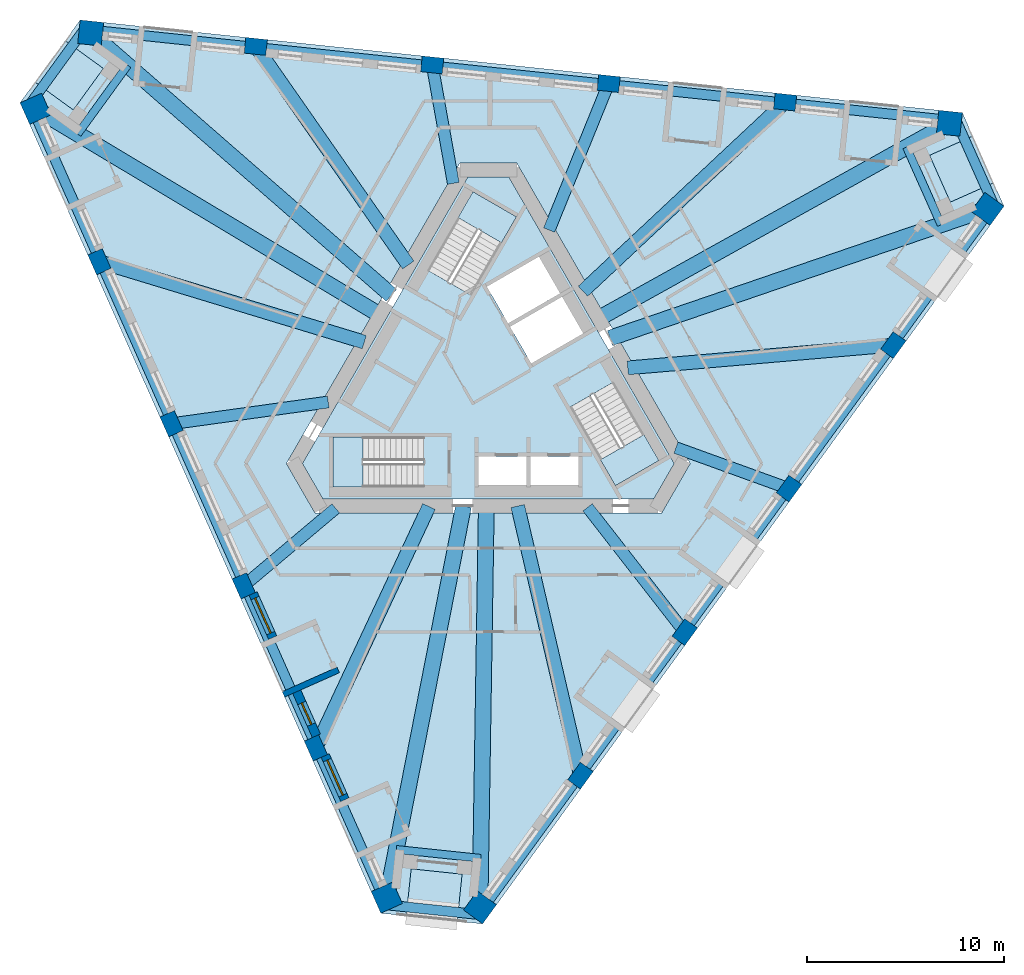
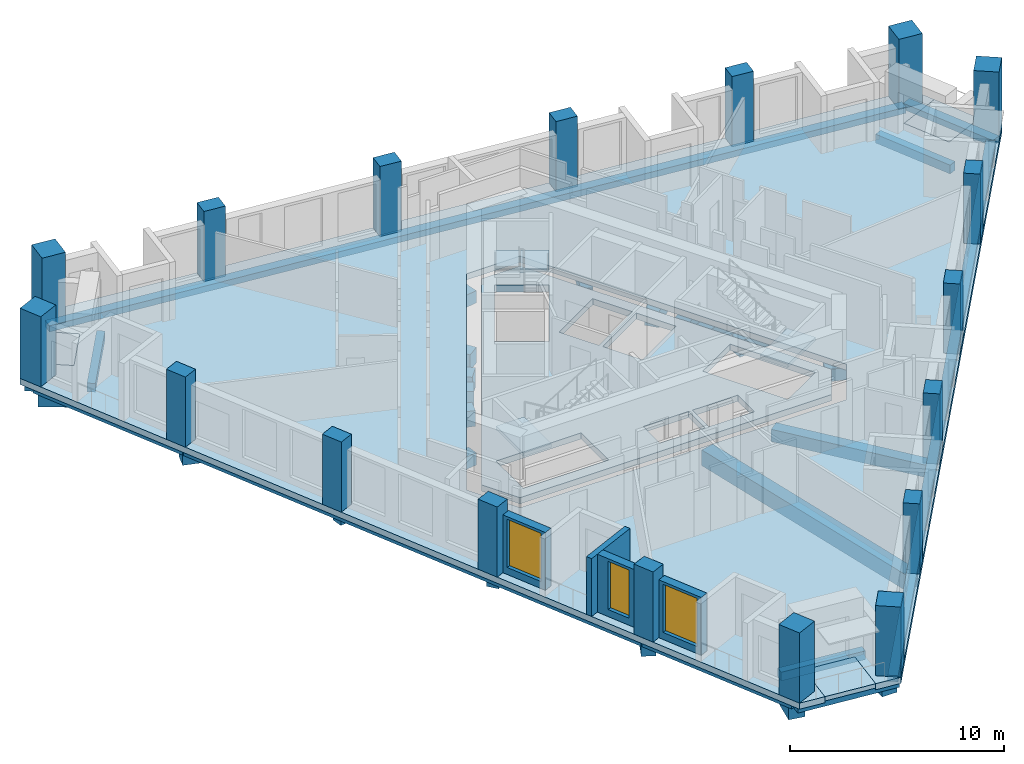
# One storey, part 1 of 11: 27 beams, 18 columns, 8 slabs, 4 walls, 3 windows, 3 openings, 3 elements without a shape of their own.
"""IFC4 building model written with IfcOpenShell, lengths in metres."""

from ifc_helpers import new_model, si_unit, direction, frame, frame_2d, origin, origin_2d, place, context, subcontext, project, spatial, polyline, rectangle, outline, extrude, material, layer, layer_set, material_profile, profile_set, type_object, element, fill, aggregate, save


model = new_model("IFC4")

# Units and contexts
model_context = context("Model", 3, precision=1e-05, world=origin(), true_north=direction((0.0, 1.0)))
body_context = subcontext(model_context, "Body", "Model", "MODEL_VIEW")
ifc_project = project(units=[si_unit("LENGTHUNIT", "METRE"), si_unit("AREAUNIT", "SQUARE_METRE"), si_unit("VOLUMEUNIT", "CUBIC_METRE"), si_unit("PLANEANGLEUNIT", "RADIAN"), si_unit("MASSUNIT", "GRAM", prefix="KILO")], contexts=[model_context])

# Site, building, storey
site_placement = place(None, origin())
site = spatial("IfcSite", under=ifc_project, at=site_placement, CompositionType="ELEMENT")
building_placement = place(site_placement, origin())
building = spatial("IfcBuilding", under=site, at=building_placement, Name="Tramontana Tower", CompositionType="ELEMENT")
storey_placement = place(building_placement, frame((0.0, 0.0, 241.199951171875)))
storey = spatial("IfcBuildingStorey", under=building, at=storey_placement, Name="L56", CompositionType="ELEMENT", Elevation=241.199951171875)

# Columns
ifc_material_1 = material(Name="Concrete 55 MPa", Category="concrete")
ifc_material_profile_1 = material_profile(ifc_material_1, rectangle(XDim=1.199951171875, YDim=1.199951171875, at=origin_2d()), Name="Mega column 1200X1200 55 MPa")
ifc_profile_set_1 = profile_set([ifc_material_profile_1], Name="Concrete 55 MPa")
column_type_1 = type_object("IfcColumnType", Name="Mega column 1200X1200 55 MPa", PredefinedType="COLUMN", material=ifc_profile_set_1)
for number, where, z_axis, x_axis, name in (
    (1, (-22.98291015625, 13.758056640625, 0.0), (0.0, 0.0, 1.0), (0.406736643076, -0.913545457643, 0.0), "Mega column C6K1 L56"),
    (2, (-5.154296875, -26.28564453125, 0.0), (0.0, 0.0, 1.0), (0.406736643076, -0.913545457643, 0.0), "Mega column C6K2 L56"),
    (3, (-0.42333984375, -26.782958984375, 0.0), (0.0, 0.0, 1.0), (0.587785252292, 0.809016994375, 0.0), "Mega column C6K3 L56"),
    (4, (25.341064453125, 8.678955078125, 0.0), (0.0, 0.0, 1.0), (0.587785252292, 0.809016994375, 0.0), "Mega column C6K4 L56"),
    (5, (23.40625, 13.024658203125, 0.0), (0.0, 0.0, 1.0), (-0.994521895368, 0.104528463268, 0.0), "Mega column C6K5 L56"),
    (6, (-20.186767578125, 17.6064453125, 0.0), (0.0, 0.0, 1.0), (-0.994521895368, 0.104528463268, 0.0), "Mega column C6K6 L56"),
):
    element("IfcColumn", number, at=place(storey_placement, frame(where, z_axis=z_axis, x_axis=x_axis)), inside=storey, type_object=column_type_1, Name=name, PredefinedType="COLUMN", context=body_context, shape_type="SweptSolid", body=[
        extrude(rectangle(XDim=1.199951171875, YDim=1.199951171875, at=origin_2d()), origin(), (0.0, 0.0, 1.0), 4.0),
    ])
ifc_material_2 = material(Name="Concrete 55 MPa", Category="concrete")
ifc_material_profile_2 = material_profile(ifc_material_2, rectangle(XDim=1.10009765625, YDim=0.800048828125, at=origin_2d()), Name="Pier column 1100X800 55 MPa")
ifc_profile_set_2 = profile_set([ifc_material_profile_2], Name="Concrete 55 MPa")
column_type_2 = type_object("IfcColumnType", Name="Pier column 1100X800 55 MPa", PredefinedType="COLUMN", material=ifc_profile_set_2)
for number, where, z_axis, x_axis, name in (
    (7, (-19.746337890625, 5.996826171875, 0.0), (0.0, 0.0, 1.0), (0.406736643076, -0.913545457643, 0.0), "Pier column C6F01 L56"),
    (8, (-16.0830078125, -2.231201171875, 0.0), (0.0, 0.0, 1.0), (0.406736643076, -0.913545457643, 0.0), "Pier column C6F02 L56"),
    (9, (-12.419677734375, -10.458984375, 0.0), (0.0, 0.0, 1.0), (0.406736643076, -0.913545457643, 0.0), "Pier column C6F03 L56"),
    (10, (-8.75634765625, -18.68701171875, 0.0), (0.0, 0.0, 1.0), (0.406736643076, -0.913545457643, 0.0), "Pier column C6F04 L56"),
    (11, (4.6796875, -20.099365234375, 0.0), (0.0, 0.0, 1.0), (0.587785252292, 0.809016994375, 0.0), "Pier column C6F05 L56"),
    (12, (9.9736328125, -12.812744140625, 0.0), (0.0, 0.0, 1.0), (0.587785252292, 0.809016994375, 0.0), "Pier column C6F06 L56"),
    (13, (15.267578125, -5.526123046875, 0.0), (0.0, 0.0, 1.0), (0.587785252292, 0.809016994375, 0.0), "Pier column C6F07 L56"),
    (14, (20.5615234375, 1.76025390625, 0.0), (0.0, 0.0, 1.0), (0.587785252292, 0.809016994375, 0.0), "Pier column C6F08 L56"),
    (15, (15.066650390625, 14.102294921875, 0.0), (0.0, 0.0, 1.0), (-0.994521895368, 0.104528463268, 0.0), "Pier column C6F09 L56"),
    (16, (6.109375, 15.043701171875, 0.0), (0.0, 0.0, 1.0), (-0.994521895368, 0.104528463268, 0.0), "Pier column C6F10 L56"),
    (17, (-2.847900390625, 15.9853515625, 0.0), (0.0, 0.0, 1.0), (-0.994521895368, 0.104528463268, 0.0), "Pier column C6F11 L56"),
    (18, (-11.805419921875, 16.9267578125, 0.0), (0.0, 0.0, 1.0), (-0.994521895368, 0.104528463268, 0.0), "Pier column C6F12 L56"),
):
    element("IfcColumn", number, at=place(storey_placement, frame(where, z_axis=z_axis, x_axis=x_axis)), inside=storey, type_object=column_type_2, Name=name, PredefinedType="COLUMN", context=body_context, shape_type="SweptSolid", body=[
        extrude(rectangle(XDim=1.10009765625, YDim=0.800048828125, at=origin_2d()), origin(), (0.0, 0.0, 1.0), 4.0),
    ])

# Beams
ifc_material_3 = material(Name="Concrete 40 MPa", Category="concrete")
ifc_material_profile_3 = material_profile(ifc_material_3, rectangle(XDim=0.5, YDim=0.35009765625, at=origin_2d()), Name="RC EDGE BEAM 500X350 40 MPa")
ifc_profile_set_3 = profile_set([ifc_material_profile_3], Name="Concrete 40 MPa")
beam_type_1 = type_object("IfcBeamType", Name="RC EDGE BEAM 500X350 40 MPa", PredefinedType="SPANDREL", material=ifc_profile_set_3)
for number, where, z_axis, x_axis, name in (
    (19, (-23.119873046875, 13.697021484375, -0.52490234375), (0.406736811644, -0.913545382591, 0.0), (0.913545382591, 0.406736811644, 0.0), "Spandrel beam S0 L56"),
    (20, (-0.302001953125, -26.87109375, -0.52490234375), (0.587782498957, 0.809018994783, 0.0), (-0.809018994783, 0.587782498957, 0.0), "Spandrel beam S1 L56"),
):
    element("IfcBeam", number, at=place(storey_placement, frame(where, z_axis=z_axis, x_axis=x_axis)), inside=storey, type_object=beam_type_1, Name=name, PredefinedType="SPANDREL", context=body_context, shape_type="SweptSolid", body=[
        extrude(rectangle(XDim=0.5, YDim=0.35009765625, at=origin_2d()), origin(), (0.0, 0.0, 1.0), 43.833251953125),
    ])
beam_1_placement = place(storey_placement, frame((23.422119140625, 13.173828125, -0.52490234375), z_axis=(-0.994522012351, 0.104527350249, 0.0), x_axis=(-0.104527350249, -0.994522012351, 0.0)))
element("IfcBeam", 21, at=beam_1_placement, inside=storey, type_object=beam_type_1, Name="Spandrel beam S2 L56", PredefinedType="SPANDREL", context=body_context, shape_type="SweptSolid", body=[
    extrude(rectangle(XDim=0.5, YDim=0.35009765625, at=origin_2d()), origin(), (0.0, 0.0, 1.0), 43.83349609375),
])
for number, where, z_axis, x_axis, name in (
    (22, (-20.356689453125, 18.00146484375, -0.52490234375), (-0.587774926142, -0.809024496662, 0.0), (0.809024496662, -0.587774926142, 0.0), "Spandrel beam K0 L56"),
    (23, (-5.411376953125, -26.630126953125, -0.52490234375), (0.994520631958, -0.104540483116, 0.0), (0.104540483116, 0.994520631958, 0.0), "Spandrel beam K1 L56"),
):
    element("IfcBeam", number, at=place(storey_placement, frame(where, z_axis=z_axis, x_axis=x_axis)), inside=storey, type_object=beam_type_1, Name=name, PredefinedType="SPANDREL", context=body_context, shape_type="SweptSolid", body=[
        extrude(rectangle(XDim=0.5, YDim=0.35009765625, at=origin_2d()), origin(), (0.0, 0.0, 1.0), 5.1962890625),
    ])
beam_2_placement = place(storey_placement, frame((25.76806640625, 8.62890625, -0.52490234375), z_axis=(-0.406713847213, 0.913555606674, 0.0), x_axis=(-0.913555606674, -0.406713847213, 0.0)))
element("IfcBeam", 24, at=beam_2_placement, inside=storey, type_object=beam_type_1, Name="Spandrel beam K2 L56", PredefinedType="SPANDREL", context=body_context, shape_type="SweptSolid", body=[
    extrude(rectangle(XDim=0.5, YDim=0.35009765625, at=origin_2d()), origin(), (0.0, 0.0, 1.0), 5.196044921875),
])
ifc_material_4 = material(Name="Concrete 40 MPa", Category="concrete")
ifc_material_profile_4 = material_profile(ifc_material_4, rectangle(XDim=0.60009765625, YDim=0.699951171875, at=origin_2d()), Name="RC GIRDER 600X700 40 MPa")
ifc_profile_set_4 = profile_set([ifc_material_profile_4], Name="Concrete 40 MPa")
beam_type_2 = type_object("IfcBeamType", Name="RC GIRDER 600X700 40 MPa", PredefinedType="BEAM", material=ifc_profile_set_4)
beam_3_placement = place(storey_placement, frame((-16.0830078125, -2.231201171875, -0.699951171875), z_axis=(0.990511014631, 0.13743336529, 0.0), x_axis=(-0.13743336529, 0.990511014631, 0.0)))
element("IfcBeam", 25, at=beam_3_placement, inside=storey, type_object=beam_type_2, Name="Radial girder C6F02 L56", PredefinedType="BEAM", context=body_context, shape_type="SweptSolid", body=[
    extrude(rectangle(XDim=0.60009765625, YDim=0.699951171875, at=origin_2d()), origin(), (0.0, 0.0, 1.0), 8.032958984375),
])
beam_4_placement = place(storey_placement, frame((-12.419677734375, -10.458984375, -0.699951171875), z_axis=(0.7648987601, 0.644150515638, 0.0), x_axis=(-0.644150515638, 0.7648987601, 0.0)))
element("IfcBeam", 26, at=beam_4_placement, inside=storey, type_object=beam_type_2, Name="Radial girder C6F03 L56", PredefinedType="BEAM", context=body_context, shape_type="SweptSolid", body=[
    extrude(rectangle(XDim=0.60009765625, YDim=0.699951171875, at=origin_2d()), origin(), (0.0, 0.0, 1.0), 6.108154296875),
])
beam_5_placement = place(storey_placement, frame((9.9736328125, -12.812744140625, -0.699951171875), z_axis=(-0.614258279955, 0.789105040857, 0.0), x_axis=(-0.789105040857, -0.614258279955, 0.0)))
element("IfcBeam", 27, at=beam_5_placement, inside=storey, type_object=beam_type_2, Name="Radial girder C6F06 L56", PredefinedType="BEAM", context=body_context, shape_type="SweptSolid", body=[
    extrude(rectangle(XDim=0.60009765625, YDim=0.699951171875, at=origin_2d()), origin(), (0.0, 0.0, 1.0), 8.032958984375),
])
beam_6_placement = place(storey_placement, frame((15.267578125, -5.526123046875, -0.699951171875), z_axis=(-0.940300037895, 0.34034664496, 0.0), x_axis=(-0.34034664496, -0.940300037895, 0.0)))
element("IfcBeam", 28, at=beam_6_placement, inside=storey, type_object=beam_type_2, Name="Radial girder C6F07 L56", PredefinedType="BEAM", context=body_context, shape_type="SweptSolid", body=[
    extrude(rectangle(XDim=0.60009765625, YDim=0.699951171875, at=origin_2d()), origin(), (0.0, 0.0, 1.0), 6.108154296875),
])
beam_7_placement = place(storey_placement, frame((6.109375, 15.043701171875, -0.699951171875), z_axis=(-0.376258836782, -0.92651459122, 0.0), x_axis=(0.92651459122, -0.376258836782, 0.0)))
element("IfcBeam", 29, at=beam_7_placement, inside=storey, type_object=beam_type_2, Name="Radial girder C6F10 L56", PredefinedType="BEAM", context=body_context, shape_type="SweptSolid", body=[
    extrude(rectangle(XDim=0.60009765625, YDim=0.699951171875, at=origin_2d()), origin(), (0.0, 0.0, 1.0), 8.032958984375),
])
beam_8_placement = place(storey_placement, frame((-2.847900390625, 15.9853515625, -0.699951171875), z_axis=(0.175388058889, -0.984499379786, 0.0), x_axis=(0.984499379786, 0.175388058889, 0.0)))
element("IfcBeam", 30, at=beam_8_placement, inside=storey, type_object=beam_type_2, Name="Radial girder C6F11 L56", PredefinedType="BEAM", context=body_context, shape_type="SweptSolid", body=[
    extrude(rectangle(XDim=0.60009765625, YDim=0.699951171875, at=origin_2d()), origin(), (0.0, 0.0, 1.0), 6.108154296875),
])
ifc_material_5 = material(Name="Concrete 40 MPa", Category="concrete")
ifc_material_profile_5 = material_profile(ifc_material_5, rectangle(XDim=0.699951171875, YDim=0.89990234375, at=origin_2d()), Name="RC GIRDER 700X900 40 MPa")
ifc_profile_set_5 = profile_set([ifc_material_profile_5], Name="Concrete 40 MPa")
beam_type_3 = type_object("IfcBeamType", Name="RC GIRDER 700X900 40 MPa", PredefinedType="BEAM", material=ifc_profile_set_5)
beam_9_placement = place(storey_placement, frame((-19.746337890625, 5.996826171875, -0.800048828125), z_axis=(0.956850397844, -0.290580997566, 0.0), x_axis=(0.290580997566, 0.956850397844, 0.0)))
element("IfcBeam", 31, at=beam_9_placement, inside=storey, type_object=beam_type_3, Name="Radial girder C6F01 L56", PredefinedType="BEAM", context=body_context, shape_type="SweptSolid", body=[
    extrude(rectangle(XDim=0.699951171875, YDim=0.89990234375, at=origin_2d()), origin(), (0.0, 0.0, 1.0), 14.05615234375),
])
beam_10_placement = place(storey_placement, frame((-8.75634765625, -18.68701171875, -0.800048828125), z_axis=(0.424308147915, 0.90551786046, 0.0), x_axis=(-0.90551786046, 0.424308147915, 0.0)))
element("IfcBeam", 32, at=beam_10_placement, inside=storey, type_object=beam_type_3, Name="Radial girder C6F04 L56", PredefinedType="BEAM", context=body_context, shape_type="SweptSolid", body=[
    extrude(rectangle(XDim=0.699951171875, YDim=0.89990234375, at=origin_2d()), origin(), (0.0, 0.0, 1.0), 13.532470703125),
])
beam_11_placement = place(storey_placement, frame((4.6796875, -20.099365234375, -0.800048828125), z_axis=(-0.22676563163, 0.973949356133, 0.0), x_axis=(-0.973949356133, -0.22676563163, 0.0)))
element("IfcBeam", 33, at=beam_11_placement, inside=storey, type_object=beam_type_3, Name="Radial girder C6F05 L56", PredefinedType="BEAM", context=body_context, shape_type="SweptSolid", body=[
    extrude(rectangle(XDim=0.699951171875, YDim=0.89990234375, at=origin_2d()), origin(), (0.0, 0.0, 1.0), 14.056396484375),
])
beam_12_placement = place(storey_placement, frame((20.5615234375, 1.760498046875, -0.800048828125), z_axis=(-0.996353926175, -0.085316198904, 0.0), x_axis=(0.085316198904, -0.996353926175, 0.0)))
element("IfcBeam", 34, at=beam_12_placement, inside=storey, type_object=beam_type_3, Name="Radial girder C6F08 L56", PredefinedType="BEAM", context=body_context, shape_type="SweptSolid", body=[
    extrude(rectangle(XDim=0.699951171875, YDim=0.89990234375, at=origin_2d()), origin(), (0.0, 0.0, 1.0), 13.532470703125),
])
beam_13_placement = place(storey_placement, frame((15.066650390625, 14.102294921875, -0.800048828125), z_axis=(-0.730089981105, -0.683351022162, 0.0), x_axis=(0.683351022162, -0.730089981105, 0.0)))
element("IfcBeam", 35, at=beam_13_placement, inside=storey, type_object=beam_type_3, Name="Radial girder C6F09 L56", PredefinedType="BEAM", context=body_context, shape_type="SweptSolid", body=[
    extrude(rectangle(XDim=0.699951171875, YDim=0.89990234375, at=origin_2d()), origin(), (0.0, 0.0, 1.0), 14.056396484375),
])
beam_14_placement = place(storey_placement, frame((-11.805419921875, 16.9267578125, -0.800048828125), z_axis=(0.5720593984, -0.820212194924, 0.0), x_axis=(0.820212194924, 0.5720593984, 0.0)))
element("IfcBeam", 36, at=beam_14_placement, inside=storey, type_object=beam_type_3, Name="Radial girder C6F12 L56", PredefinedType="BEAM", context=body_context, shape_type="SweptSolid", body=[
    extrude(rectangle(XDim=0.699951171875, YDim=0.89990234375, at=origin_2d()), origin(), (0.0, 0.0, 1.0), 13.53271484375),
])
ifc_material_6 = material(Name="Concrete 40 MPa", Category="concrete")
ifc_material_profile_6 = material_profile(ifc_material_6, rectangle(XDim=0.800048828125, YDim=1.10009765625, at=origin_2d()), Name="RC GIRDER 800X1100 40 MPa")
ifc_profile_set_6 = profile_set([ifc_material_profile_6], Name="Concrete 40 MPa")
beam_type_4 = type_object("IfcBeamType", Name="RC GIRDER 800X1100 40 MPa", PredefinedType="BEAM", material=ifc_profile_set_6)
beam_15_placement = place(storey_placement, frame((-22.98291015625, 13.758056640625, -0.89990234375), z_axis=(0.858014507948, -0.513625451229, 0.0), x_axis=(0.513625451229, 0.858014507948, 0.0)))
element("IfcBeam", 37, at=beam_15_placement, inside=storey, type_object=beam_type_4, Name="Radial girder C6K1 L56", PredefinedType="BEAM", context=body_context, shape_type="SweptSolid", body=[
    extrude(rectangle(XDim=0.800048828125, YDim=1.10009765625, at=origin_2d()), origin(), (0.0, 0.0, 1.0), 20.385498046875),
])
beam_16_placement = place(storey_placement, frame((-5.154296875, -26.28564453125, -0.89990234375), z_axis=(0.192429707164, 0.981310760056, 0.0), x_axis=(-0.981310760056, 0.192429707164, 0.0)))
element("IfcBeam", 38, at=beam_16_placement, inside=storey, type_object=beam_type_4, Name="Radial girder C6K2 L56", PredefinedType="BEAM", context=body_context, shape_type="SweptSolid", body=[
    extrude(rectangle(XDim=0.800048828125, YDim=1.10009765625, at=origin_2d()), origin(), (0.0, 0.0, 1.0), 20.2578125),
])
beam_17_placement = place(storey_placement, frame((-0.42333984375, -26.78271484375, -0.89990234375), z_axis=(0.015796706362, 0.99987522425, 0.0), x_axis=(-0.99987522425, 0.015796706362, 0.0)))
element("IfcBeam", 39, at=beam_17_placement, inside=storey, type_object=beam_type_4, Name="Radial girder C6K3 L56", PredefinedType="BEAM", context=body_context, shape_type="SweptSolid", body=[
    extrude(rectangle(XDim=0.800048828125, YDim=1.10009765625, at=origin_2d()), origin(), (0.0, 0.0, 1.0), 20.38525390625),
])
beam_18_placement = place(storey_placement, frame((25.34130859375, 8.67919921875, -0.89990234375), z_axis=(-0.946050478935, -0.324019276136, 0.0), x_axis=(0.324019276136, -0.946050478935, 0.0)))
element("IfcBeam", 40, at=beam_18_placement, inside=storey, type_object=beam_type_4, Name="Radial girder C6K4 L56", PredefinedType="BEAM", context=body_context, shape_type="SweptSolid", body=[
    extrude(rectangle(XDim=0.800048828125, YDim=1.10009765625, at=origin_2d()), origin(), (0.0, 0.0, 1.0), 20.258056640625),
])
beam_19_placement = place(storey_placement, frame((23.40625, 13.024658203125, -0.89990234375), z_axis=(-0.873818675449, -0.486251912528, 0.0), x_axis=(0.486251912528, -0.873818675449, 0.0)))
element("IfcBeam", 41, at=beam_19_placement, inside=storey, type_object=beam_type_4, Name="Radial girder C6K5 L56", PredefinedType="BEAM", context=body_context, shape_type="SweptSolid", body=[
    extrude(rectangle(XDim=0.800048828125, YDim=1.10009765625, at=origin_2d()), origin(), (0.0, 0.0, 1.0), 20.38525390625),
])
beam_20_placement = place(storey_placement, frame((-20.18701171875, 17.606689453125, -0.89990234375), z_axis=(0.753629135933, -0.657299874846, 0.0), x_axis=(0.657299874846, 0.753629135933, 0.0)))
element("IfcBeam", 42, at=beam_20_placement, inside=storey, type_object=beam_type_4, Name="Radial girder C6K6 L56", PredefinedType="BEAM", context=body_context, shape_type="SweptSolid", body=[
    extrude(rectangle(XDim=0.800048828125, YDim=1.10009765625, at=origin_2d()), origin(), (0.0, 0.0, 1.0), 20.2578125),
])
ifc_material_7 = material(Name="Concrete 40 MPa", Category="concrete")
ifc_material_profile_7 = material_profile(ifc_material_7, rectangle(XDim=0.39990234375, YDim=0.5, at=origin_2d()), Name="RC TRIM BEAM 400X500 40 MPa")
ifc_profile_set_7 = profile_set([ifc_material_profile_7], Name="Concrete 40 MPa")
beam_type_5 = type_object("IfcBeamType", Name="RC TRIM BEAM 400X500 40 MPa", PredefinedType="JOIST", material=ifc_profile_set_7)
for number, where, z_axis, x_axis, name in (
    (43, (-18.310302734375, 15.9697265625, -0.599853515625), (-0.587744325324, -0.809046727976, 0.0), (0.809046727976, -0.587744325324, 0.0), "Trimmer beam K0 L56"),
    (44, (-4.675048828125, -23.841796875, -0.599853515625), (0.994517847883, -0.104566965344, 0.0), (0.104566965344, 0.994517847883, 0.0), "Trimmer beam K1 L56"),
    (45, (22.9853515625, 7.872314453125, -0.599853515625), (-0.406773611719, 0.913528997246, 0.0), (-0.913528997246, -0.406773611719, 0.0), "Trimmer beam K2 L56"),
):
    element("IfcBeam", number, at=place(storey_placement, frame(where, z_axis=z_axis, x_axis=x_axis)), inside=storey, type_object=beam_type_5, Name=name, PredefinedType="JOIST", context=body_context, shape_type="SweptSolid", body=[
        extrude(rectangle(XDim=0.39990234375, YDim=0.5, at=origin_2d()), origin(), (0.0, 0.0, 1.0), 4.314697265625),
    ])

# Slabs
ifc_material_8 = material(Name="Precast concrete 50 MPa", Category="concrete")
ifc_layer_1 = layer(ifc_material_8, 0.25)
ifc_layer_set_1 = layer_set([ifc_layer_1], Name="LT1 Loggia floor tray 250")
slab_type_1 = type_object("IfcSlabType", Name="LT1 Loggia floor tray 250", PredefinedType="FLOOR", material=ifc_layer_set_1)
slab_1_placement = place(storey_placement, frame((0.0, 0.0, -0.25)))
element("IfcSlab", 46, at=slab_1_placement, inside=storey, type_object=slab_type_1, Name="Corner loggia floor L56 K60", PredefinedType="FLOOR", context=body_context, shape_type="SweptSolid", body=[
    extrude(outline(polyline([(-21.48388671875, 17.2158203125), (-19.542236328125, 15.80517578125), (-21.070556640625, 13.70166015625), (-23.01220703125, 15.1123046875), (-21.48388671875, 17.2158203125)])), origin(), (0.0, 0.0, 1.0), 0.25),
])
slab_2_placement = place(storey_placement, frame((0.0, 0.0, -0.25)))
element("IfcSlab", 47, at=slab_2_placement, inside=storey, type_object=slab_type_1, Name="Corner loggia floor L56 K61", PredefinedType="FLOOR", context=body_context, shape_type="SweptSolid", body=[
    extrude(outline(polyline([(-4.16748046875, -27.21337890625), (-3.91650390625, -24.82666015625), (-1.330810546875, -25.098388671875), (-1.58154296875, -27.4853515625), (-4.16748046875, -27.21337890625)])), origin(), (0.0, 0.0, 1.0), 0.25),
])
slab_3_placement = place(storey_placement, frame((0.0, 0.0, -0.25)))
element("IfcSlab", 48, at=slab_3_placement, inside=storey, type_object=slab_type_1, Name="Corner loggia floor L56 K62", PredefinedType="FLOOR", context=body_context, shape_type="SweptSolid", body=[
    extrude(outline(polyline([(25.6513671875, 9.99755859375), (23.458740234375, 9.021484375), (22.401123046875, 11.396728515625), (24.59375, 12.372802734375), (25.6513671875, 9.99755859375)])), origin(), (0.0, 0.0, 1.0), 0.25),
])
ifc_material_9 = material(Name="Concrete 40 MPa", Category="concrete")
ifc_layer_2 = layer(ifc_material_9, 0.35009765625)
ifc_layer_set_2 = layer_set([ifc_layer_2], Name="PT FLAT SLAB 350 40 MPa")
slab_type_2 = type_object("IfcSlabType", Name="PT FLAT SLAB 350 40 MPa", PredefinedType="FLOOR", material=ifc_layer_set_2)
slab_4_placement = place(storey_placement, frame((0.0, 0.0, -0.349853515625)))
element("IfcSlab", 49, at=slab_4_placement, inside=storey, type_object=slab_type_2, Name="Floor slab L56", PredefinedType="FLOOR", context=body_context, shape_type="SweptSolid", body=[
    extrude(outline(polyline([(24.59375, 12.372802734375), (22.401123046875, 11.396728515625), (23.458740234375, 9.021484375), (25.6513671875, 9.99755859375), (26.17919921875, 8.811767578125), (-0.290771484375, -27.620849609375), (-1.581787109375, -27.485107421875), (-1.330810546875, -25.098388671875), (-3.91650390625, -24.82666015625), (-4.16748046875, -27.21337890625), (-5.45849609375, -27.077880859375), (-23.775146484375, 14.062255859375), (-23.01220703125, 15.1123046875), (-21.0703125, 13.70166015625), (-19.542236328125, 15.80517578125), (-21.48388671875, 17.2158203125), (-20.720947265625, 18.26611328125), (24.06591796875, 13.55859375), (24.59375, 12.372802734375)]), holes=[polyline([(-10.248046875, -4.25), (-8.8046875, -6.75), (8.8046875, -6.75), (10.248046875, -4.25), (1.443359375, 11.0), (-1.443359375, 11.0), (-10.248046875, -4.25)])]), origin(), (0.0, 0.0, 1.0), 0.349853515625),
])
slab_5_placement = place(storey_placement, frame((0.0, 0.0, -0.349853515625)))
element("IfcSlab", 50, at=slab_5_placement, inside=storey, type_object=slab_type_2, Name="Core floor slab L56", PredefinedType="FLOOR", context=body_context, shape_type="SweptSolid", body=[
    extrude(outline(polyline([(9.439697265625, -4.25), (8.400390625, -6.050048828125), (-8.400390625, -6.050048828125), (-9.439697265625, -4.25), (-1.039306640625, 10.300048828125), (1.039306640625, 10.300048828125), (9.439697265625, -4.25)]), holes=[polyline([(8.659912109375, -4.099365234375), (6.35986328125, -0.115478515625), (4.151611328125, -1.390625), (6.451416015625, -5.374267578125), (8.659912109375, -4.099365234375)]), polyline([(3.829833984375, 4.2666015625), (1.101806640625, 2.69140625), (2.177001953125, 0.82958984375), (4.90478515625, 2.404541015625), (3.829833984375, 4.2666015625)]), polyline([(4.590087890625, -3.89990234375), (2.139892578125, -3.89990234375), (2.139892578125, -5.449951171875), (4.590087890625, -5.449951171875), (4.590087890625, -3.89990234375)]), polyline([(2.65478515625, 6.3017578125), (-0.072998046875, 4.726806640625), (1.001953125, 2.86474609375), (3.729736328125, 4.439697265625), (2.65478515625, 6.3017578125)]), polyline([(1.93994140625, -5.449951171875), (1.93994140625, -3.89990234375), (-0.510009765625, -3.89990234375), (-0.510009765625, -5.449951171875), (1.93994140625, -5.449951171875)]), polyline([(-0.77978515625, 9.54931640625), (-3.079833984375, 5.565673828125), (-0.87158203125, 4.29052734375), (1.428466796875, 8.2744140625), (-0.77978515625, 9.54931640625)]), polyline([(-7.8798828125, -5.449951171875), (-3.280029296875, -5.449951171875), (-3.280029296875, -2.89990234375), (-7.8798828125, -2.89990234375), (-7.8798828125, -5.449951171875)])]), origin(), (0.0, 0.0, 1.0), 0.349853515625),
])

# Stair, slab
ifc_material_10 = material(Name="Concrete 40 MPa", Category="concrete")
stair_type = type_object("IfcStairType", Name="EXIT STAIR 24 RISERS", PredefinedType="HALF_TURN_STAIR", material=ifc_material_10)
stair_1_placement = place(storey_placement, origin())
stair_1 = element("IfcStair", 51, at=stair_1_placement, inside=storey, type_object=stair_type, Name="L56 Exit stair ST1", PredefinedType="HALF_TURN_STAIR")
ifc_material_11 = material(Name="Concrete 40 MPa", Category="concrete")
ifc_layer_3 = layer(ifc_material_11, 0.199951171875)
ifc_layer_set_3 = layer_set([ifc_layer_3], Name="STAIR LANDING 200")
slab_type_3 = type_object("IfcSlabType", Name="STAIR LANDING 200", PredefinedType="LANDING", material=ifc_layer_set_3)
slab_6_placement = place(storey_placement, frame((0.0, 0.0, 1.800048828125)))
slab_6 = element("IfcSlab", 52, at=slab_6_placement, type_object=slab_type_3, Name="ST1 landing 1", PredefinedType="LANDING", context=body_context, shape_type="SweptSolid", body=[
    extrude(outline(polyline([(0.66845703125, 6.9580078125), (1.428466796875, 8.274169921875), (-0.77978515625, 9.54931640625), (-1.539794921875, 8.23291015625), (0.66845703125, 6.9580078125)])), origin(), (0.0, 0.0, 1.0), 0.199951171875),
])
aggregate(stair_1, [slab_6])

stair_2_placement = place(storey_placement, origin())
stair_2 = element("IfcStair", 53, at=stair_2_placement, inside=storey, type_object=stair_type, Name="L56 Exit stair ST2", PredefinedType="HALF_TURN_STAIR")
slab_7_placement = place(storey_placement, frame((0.0, 0.0, 1.800048828125)))
slab_7 = element("IfcSlab", 54, at=slab_7_placement, type_object=slab_type_3, Name="ST2 landing 1", PredefinedType="LANDING", context=body_context, shape_type="SweptSolid", body=[
    extrude(outline(polyline([(-6.360107421875, -2.89990234375), (-7.8798828125, -2.89990234375), (-7.8798828125, -5.449951171875), (-6.360107421875, -5.449951171875), (-6.360107421875, -2.89990234375)])), origin(), (0.0, 0.0, 1.0), 0.199951171875),
])
aggregate(stair_2, [slab_7])

stair_3_placement = place(storey_placement, origin())
stair_3 = element("IfcStair", 55, at=stair_3_placement, inside=storey, type_object=stair_type, Name="L56 Exit stair ST3", PredefinedType="HALF_TURN_STAIR")
slab_8_placement = place(storey_placement, frame((0.0, 0.0, 1.800048828125)))
slab_8 = element("IfcSlab", 56, at=slab_8_placement, type_object=slab_type_3, Name="ST3 landing 1", PredefinedType="LANDING", context=body_context, shape_type="SweptSolid", body=[
    extrude(outline(polyline([(5.69140625, -4.057861328125), (6.451416015625, -5.374267578125), (8.659912109375, -4.099365234375), (7.89990234375, -2.782958984375), (5.69140625, -4.057861328125)])), origin(), (0.0, 0.0, 1.0), 0.199951171875),
])
aggregate(stair_3, [slab_8])

# Wall, opening, window
ifc_material_12 = material(Name="Precast concrete 60 MPa", Category="concrete")
ifc_layer_4 = layer(ifc_material_12, 0.449951171875)
ifc_layer_set_4 = layer_set([ifc_layer_4], Name="Precast concrete 60 MPa, 450 mm")
wall_type_1 = type_object("IfcWallType", Name="EW1 Stone-faced precast wall 450", PredefinedType="SOLIDWALL", material=ifc_layer_set_4)
wall_1_placement = place(storey_placement, frame((-11.94482421875, -10.849609375, 0.0), z_axis=(0.0, 0.0, 1.0), x_axis=(0.406784963852, -0.913523942316, 0.0)))
wall_1 = element("IfcWall", 57, at=wall_1_placement, inside=storey, type_object=wall_type_1, Name="External wall L56 face 0 bay 4", PredefinedType="SOLIDWALL", context=body_context, shape_type="SweptSolid", body=[
    extrude(rectangle(XDim=2.452392578125, YDim=0.449951171875, at=frame_2d((1.22607421875, 0.0))), origin(), (0.0, 0.0, 1.0), 3.300048828125),
])
opening_1_placement = place(wall_1_placement, frame((0.251220703125, 0.0, 0.39990234375)))
opening_1 = element("IfcOpeningElement", 58, at=opening_1_placement, cuts=wall_1, Name="Opening M3", PredefinedType="OPENING", context=body_context, shape_type="SweptSolid", body=[
    extrude(rectangle(XDim=1.949951171875, YDim=2.75, at=frame_2d((0.97509765625, 1.375))), frame((0.0, 0.23486328125, 0.0), z_axis=(0.0, -1.0, 0.0), x_axis=(1.0, 0.0, 0.0)), (0.0, 0.0, 1.0), 0.469970703125),
])
ifc_material_13 = material(Name="Aluminum frame, double glazing unit", Category="aluminium")
window_type_1 = type_object("IfcWindowType", Name="M3 Window 1.95 x 2.75", PartitioningType="SINGLE_PANEL", PredefinedType="WINDOW", material=ifc_material_13)
window_1_placement = place(opening_1_placement, origin())
window_1 = element("IfcWindow", 59, at=window_1_placement, inside=storey, type_object=window_type_1, Name="Window M3 L56 face 0 module 10", OverallHeight=2.75, OverallWidth=1.949951171875, PartitioningType="SINGLE_PANEL", PredefinedType="WINDOW", context=body_context, shape_type="SweptSolid", body=[
    extrude(rectangle(XDim=1.949951171875, YDim=2.75, at=frame_2d((0.97509765625, 1.375))), frame((0.0, 0.030029296875, 0.0), z_axis=(0.0, -1.0, 0.0), x_axis=(1.0, 0.0, 0.0)), (0.0, 0.0, 1.0), 0.06005859375),
])
fill(opening_1, window_1)

wall_2_placement = place(storey_placement, frame((-9.72607421875, -15.83251953125, 0.0), z_axis=(0.0, 0.0, 1.0), x_axis=(0.406701876909, -0.913560935745, 0.0)))
wall_2 = element("IfcWall", 60, at=wall_2_placement, inside=storey, type_object=wall_type_1, Name="External wall L56 face 0 bay 4", PredefinedType="SOLIDWALL", context=body_context, shape_type="SweptSolid", body=[
    extrude(rectangle(XDim=2.4521484375, YDim=0.449951171875, at=frame_2d((1.22607421875, 0.0))), origin(), (0.0, 0.0, 1.0), 3.300048828125),
])
opening_2_placement = place(wall_2_placement, frame((0.626220703125, 0.0, 0.39990234375)))
opening_2 = element("IfcOpeningElement", 61, at=opening_2_placement, cuts=wall_2, Name="Opening N3", PredefinedType="OPENING", context=body_context, shape_type="SweptSolid", body=[
    extrude(rectangle(XDim=1.199951171875, YDim=2.75, at=frame_2d((0.60009765625, 1.375))), frame((0.0, 0.23486328125, 0.0), z_axis=(0.0, -1.0, 0.0), x_axis=(1.0, 0.0, 0.0)), (0.0, 0.0, 1.0), 0.469970703125),
])
ifc_material_14 = material(Name="Aluminum frame, double glazing unit", Category="aluminium")
window_type_2 = type_object("IfcWindowType", Name="N3 Window 1.2 x 2.75", PartitioningType="SINGLE_PANEL", PredefinedType="WINDOW", material=ifc_material_14)
window_2_placement = place(opening_2_placement, origin())
window_2 = element("IfcWindow", 62, at=window_2_placement, inside=storey, type_object=window_type_2, Name="Window N3 L56 face 0 module 12", OverallHeight=2.75, OverallWidth=1.199951171875, PartitioningType="SINGLE_PANEL", PredefinedType="WINDOW", context=body_context, shape_type="SweptSolid", body=[
    extrude(rectangle(XDim=1.199951171875, YDim=2.75, at=frame_2d((0.60009765625, 1.375))), frame((0.0, 0.030029296875, 0.0), z_axis=(0.0, -1.0, 0.0), x_axis=(1.0, 0.0, 0.0)), (0.0, 0.0, 1.0), 0.06005859375),
])
fill(opening_2, window_2)

wall_3_placement = place(storey_placement, frame((-8.28125, -19.07763671875, 0.0), z_axis=(0.0, 0.0, 1.0), x_axis=(0.406701876909, -0.913560935745, 0.0)))
wall_3 = element("IfcWall", 63, at=wall_3_placement, inside=storey, type_object=wall_type_1, Name="External wall L56 face 0 bay 5", PredefinedType="SOLIDWALL", context=body_context, shape_type="SweptSolid", body=[
    extrude(rectangle(XDim=2.4521484375, YDim=0.449951171875, at=frame_2d((1.22607421875, 0.0))), origin(), (0.0, 0.0, 1.0), 3.300048828125),
])
opening_3_placement = place(wall_3_placement, frame((0.251220703125, 0.0, 0.39990234375)))
opening_3 = element("IfcOpeningElement", 64, at=opening_3_placement, cuts=wall_3, Name="Opening M3", PredefinedType="OPENING", context=body_context, shape_type="SweptSolid", body=[
    extrude(rectangle(XDim=1.949951171875, YDim=2.75, at=frame_2d((0.97509765625, 1.375))), frame((0.0, 0.23486328125, 0.0), z_axis=(0.0, -1.0, 0.0), x_axis=(1.0, 0.0, 0.0)), (0.0, 0.0, 1.0), 0.469970703125),
])
window_3_placement = place(opening_3_placement, origin())
window_3 = element("IfcWindow", 65, at=window_3_placement, inside=storey, type_object=window_type_1, Name="Window M3 L56 face 0 module 13", OverallHeight=2.75, OverallWidth=1.949951171875, PartitioningType="SINGLE_PANEL", PredefinedType="WINDOW", context=body_context, shape_type="SweptSolid", body=[
    extrude(rectangle(XDim=1.949951171875, YDim=2.75, at=frame_2d((0.97509765625, 1.375))), frame((0.0, 0.030029296875, 0.0), z_axis=(0.0, -1.0, 0.0), x_axis=(1.0, 0.0, 0.0)), (0.0, 0.0, 1.0), 0.06005859375),
])
fill(opening_3, window_3)

# Wall
ifc_material_15 = material(Name="Precast concrete 60 MPa", Category="concrete")
ifc_layer_5 = layer(ifc_material_15, 0.300048828125)
ifc_layer_set_5 = layer_set([ifc_layer_5], Name="LW1 Stone-faced loggia wall 300")
wall_type_2 = type_object("IfcWallType", Name="LW1 Stone-faced loggia wall 300", PredefinedType="SOLIDWALL", material=ifc_layer_set_5)
wall_4_placement = place(storey_placement, frame((-10.40380859375, -15.969970703125, 0.0), z_axis=(0.0, 0.0, 1.0), x_axis=(0.913557205168, 0.406710256677, 0.0)))
element("IfcWall", 66, at=wall_4_placement, inside=storey, type_object=wall_type_2, Name="Loggia return L56 G6S0.10b", PredefinedType="SOLIDWALL", context=body_context, shape_type="SweptSolid", body=[
    extrude(rectangle(XDim=3.050048828125, YDim=0.300048828125, at=frame_2d((1.52490234375, 0.0))), origin(), (0.0, 0.0, 1.0), 3.300048828125),
])

save(model, "model.ifc")
